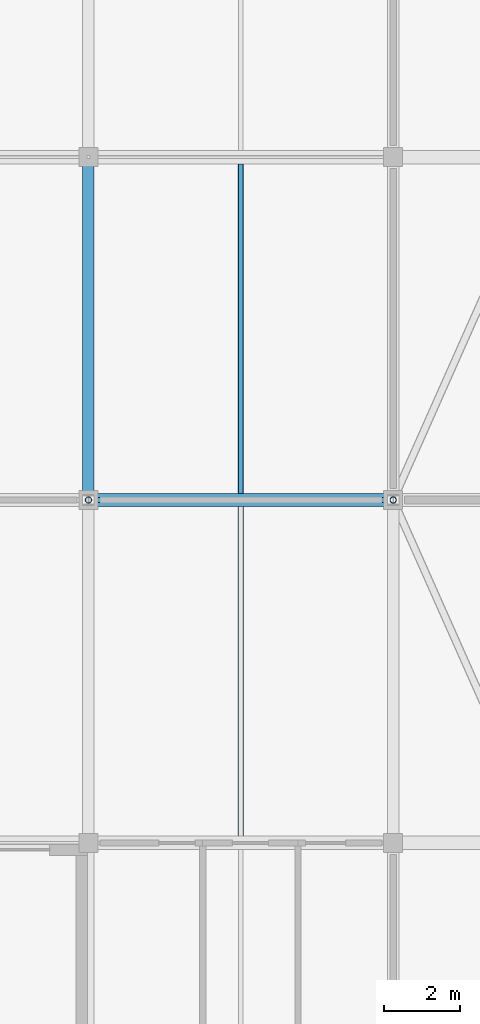
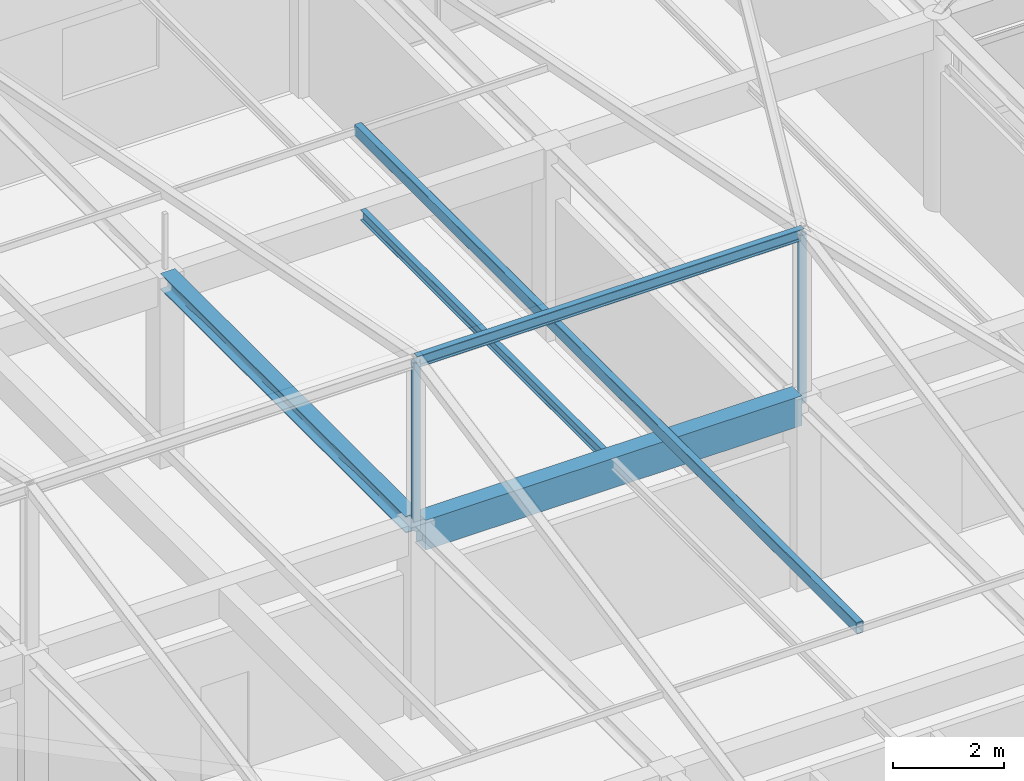
# One storey, part 26 of 65: 4 beams, 3 members.
"""IFC4 building model written with IfcOpenShell, lengths in metres."""

from ifc_helpers import new_model, si_unit, direction, frame, origin, origin_2d, place, context, subcontext, project, spatial, rectangle, hollow_rectangle, hollow_circle, i_section, extrude, material, material_profile, profile_set, type_object, element, save


model = new_model("IFC4")

# Units and contexts
model_context = context("Model", 3, precision=1e-05, world=origin(), true_north=direction((0.0, 1.0)))
body_context = subcontext(model_context, "Body", "Model", "MODEL_VIEW")
ifc_project = project(units=[si_unit("LENGTHUNIT", "METRE"), si_unit("AREAUNIT", "SQUARE_METRE"), si_unit("VOLUMEUNIT", "CUBIC_METRE"), si_unit("PLANEANGLEUNIT", "RADIAN"), si_unit("MASSUNIT", "GRAM", prefix="KILO")], contexts=[model_context])

# Site, building, storey
site_placement = place(None, origin())
site = spatial("IfcSite", under=ifc_project, at=site_placement, CompositionType="ELEMENT")
building_placement = place(site_placement, origin())
building = spatial("IfcBuilding", under=site, at=building_placement, Name="Varnabhumi Central Station", CompositionType="ELEMENT")
storey_placement = place(building_placement, frame((0.0, 0.0, 24.60009765625)))
storey = spatial("IfcBuildingStorey", under=building, at=storey_placement, Name="L05", CompositionType="ELEMENT", Elevation=24.60009765625)

# Beams
ifc_material_1 = material(Name="Structural steel E350", Category="steel")
ifc_material_profile_1 = material_profile(ifc_material_1, i_section(OverallWidth=0.125, OverallDepth=0.25, WebThickness=0.0068359375, FlangeThickness=0.012451171875, FilletRadius=0.012939453125, at=origin_2d()), Name="Structural steel E350", Category="steel")
ifc_profile_set_1 = profile_set([ifc_material_profile_1], Name="Structural steel E350")
beam_type_1 = type_object("IfcBeamType", Name="BM-PUR-ISMB250", PredefinedType="JOIST", material=ifc_profile_set_1)
beam_1_placement = place(storey_placement, frame((96.0, 18.0, 7.6298828125), z_axis=(1.0, 0.0, 0.0), x_axis=(0.0, 1.0, 0.0)))
element("IfcBeam", 1, at=beam_1_placement, inside=storey, type_object=beam_type_1, Name="Mission Roof Ridge Beam SW6E-9", PredefinedType="JOIST", context=body_context, shape_type="SweptSolid", body=[
    extrude(i_section(OverallWidth=0.125, OverallDepth=0.25, WebThickness=0.0068359375, FlangeThickness=0.012451171875, FilletRadius=0.012939453125, at=origin_2d()), origin(), (0.0, 0.0, 1.0), 8.0),
])
ifc_material_2 = material(Name="Concrete M40", Category="concrete")
ifc_material_profile_2 = material_profile(ifc_material_2, rectangle(XDim=0.35009765625, YDim=0.64990234375, at=origin_2d()), Name="Concrete M40", Category="concrete")
ifc_profile_set_2 = profile_set([ifc_material_profile_2], Name="Concrete M40")
beam_type_2 = type_object("IfcBeamType", Name="BM-RC-350x650", PredefinedType="BEAM", material=ifc_profile_set_2)
beam_2_placement = place(storey_placement, frame((96.10009765625, 18.0, 3.875), z_axis=(1.0, 0.0, 0.0), x_axis=(0.0, 1.0, 0.0)))
element("IfcBeam", 2, at=beam_2_placement, inside=storey, type_object=beam_type_2, Name="Beam L05-C:13-14", PredefinedType="BEAM", context=body_context, shape_type="SweptSolid", body=[
    extrude(rectangle(XDim=0.35009765625, YDim=0.64990234375, at=origin_2d()), origin(), (0.0, 0.0, 1.0), 7.7998046875),
])
ifc_material_profile_3 = material_profile(ifc_material_1, i_section(OverallWidth=0.110107421875, OverallDepth=0.22509765625, WebThickness=0.006591796875, FlangeThickness=0.01171875, FilletRadius=0.011962890625, at=origin_2d()), Name="Structural steel E350", Category="steel")
ifc_profile_set_3 = profile_set([ifc_material_profile_3], Name="Structural steel E350")
beam_type_3 = type_object("IfcBeamType", Name="BM-STL-ISMB225", PredefinedType="JOIST", material=ifc_profile_set_3)
beam_3_placement = place(storey_placement, frame((100.0, 18.175048828125, 4.08740234375), z_axis=(0.0, 1.0, 0.0), x_axis=(-1.0, 0.0, 0.0)))
element("IfcBeam", 3, at=beam_3_placement, inside=storey, type_object=beam_type_3, Name="Secondary Joist L05-13/14:C-D", PredefinedType="JOIST", context=body_context, shape_type="SweptSolid", body=[
    extrude(i_section(OverallWidth=0.110107421875, OverallDepth=0.22509765625, WebThickness=0.006591796875, FlangeThickness=0.01171875, FilletRadius=0.011962890625, at=origin_2d()), origin(), (0.0, 0.0, 1.0), 8.64990234375),
])
ifc_material_profile_4 = material_profile(ifc_material_1, i_section(OverallWidth=0.300048828125, OverallDepth=0.360107421875, WebThickness=0.012451171875, FlangeThickness=0.0224609375, FilletRadius=0.027099609375, at=origin_2d()), Name="Structural steel E350", Category="steel")
ifc_profile_set_4 = profile_set([ifc_material_profile_4], Name="Structural steel E350")
beam_type_4 = type_object("IfcBeamType", Name="BM-STL-WPB360", PredefinedType="BEAM", material=ifc_profile_set_4)
beam_4_placement = place(storey_placement, frame((96.0, 18.10009765625, 4.02001953125), z_axis=(0.0, 1.0, 0.0), x_axis=(-1.0, 0.0, 0.0)))
element("IfcBeam", 4, at=beam_4_placement, inside=storey, type_object=beam_type_4, Name="Beam L05-13:C-D", PredefinedType="BEAM", context=body_context, shape_type="SweptSolid", body=[
    extrude(i_section(OverallWidth=0.300048828125, OverallDepth=0.360107421875, WebThickness=0.012451171875, FlangeThickness=0.0224609375, FilletRadius=0.027099609375, at=origin_2d()), origin(), (0.0, 0.0, 1.0), 8.7998046875),
])

# Members
ifc_material_profile_5 = material_profile(ifc_material_1, hollow_rectangle(XDim=0.14990234375, YDim=0.25, WallThickness=0.010009765625, InnerFilletRadius=0.010009765625, OuterFilletRadius=0.02001953125, at=origin_2d()), Name="Structural steel E350", Category="steel")
ifc_profile_set_5 = profile_set([ifc_material_profile_5], Name="Structural steel E350")
member_type_1 = type_object("IfcMemberType", Name="MBR-COLLAR-RHS", PredefinedType="COLLAR", material=ifc_profile_set_5)
member_placement = place(storey_placement, frame((100.0, 9.0, 5.844970703125), z_axis=(0.0, 1.0, 0.0), x_axis=(-1.0, 0.0, 0.0)))
element("IfcMember", 5, at=member_placement, inside=storey, type_object=member_type_1, Name="Mission Roof Collar Tie SW6E-9", PredefinedType="COLLAR", context=body_context, shape_type="SweptSolid", body=[
    extrude(hollow_rectangle(XDim=0.14990234375, YDim=0.25, WallThickness=0.010009765625, InnerFilletRadius=0.010009765625, OuterFilletRadius=0.02001953125, at=origin_2d()), origin(), (0.0, 0.0, 1.0), 18.0),
])
ifc_material_profile_6 = material_profile(ifc_material_1, hollow_circle(Radius=0.084228515625, WallThickness=0.008056640625, at=origin_2d()), Name="Structural steel E350", Category="steel")
ifc_profile_set_6 = profile_set([ifc_material_profile_6], Name="Structural steel E350")
member_type_2 = type_object("IfcMemberType", Name="MBR-STRUT-CHS168", PredefinedType="STRUT", material=ifc_profile_set_6)
for number, where, z_axis, x_axis, name in (
    (6, (96.0, 18.0, 3.949951171875), (0.0, 0.0, 1.0), (1.0, 0.0, 0.0), "Mission Roof King Strut SW6E-9"),
    (7, (104.0, 18.0, 3.949951171875), (0.0, 0.0, 1.0), (1.0, 0.0, 0.0), "Mission Roof King Strut SW6E-10"),
):
    element("IfcMember", number, at=place(storey_placement, frame(where, z_axis=z_axis, x_axis=x_axis)), inside=storey, type_object=member_type_2, Name=name, PredefinedType="STRUT", context=body_context, shape_type="SweptSolid", body=[
        extrude(hollow_circle(Radius=0.084228515625, WallThickness=0.008056640625, at=origin_2d()), origin(), (0.0, 0.0, 1.0), 3.679931640625),
    ])

save(model, "model.ifc")
